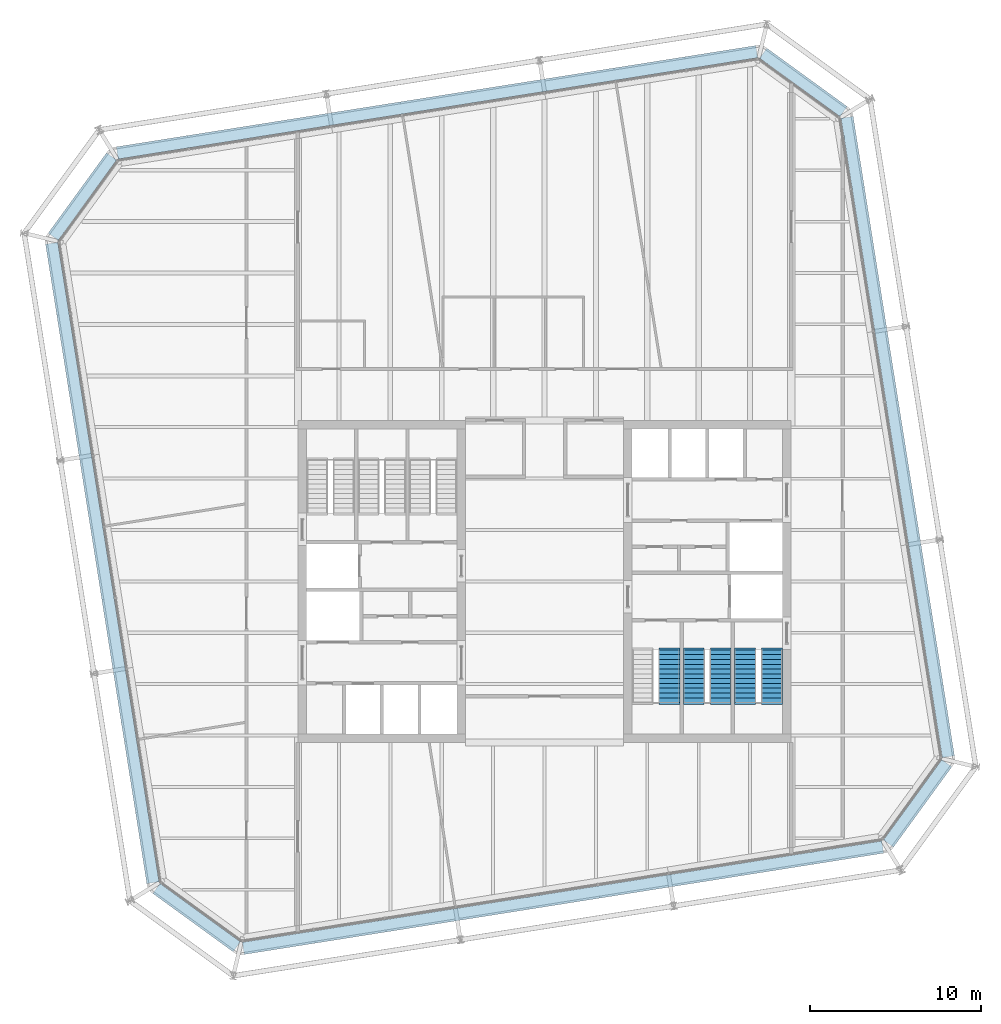
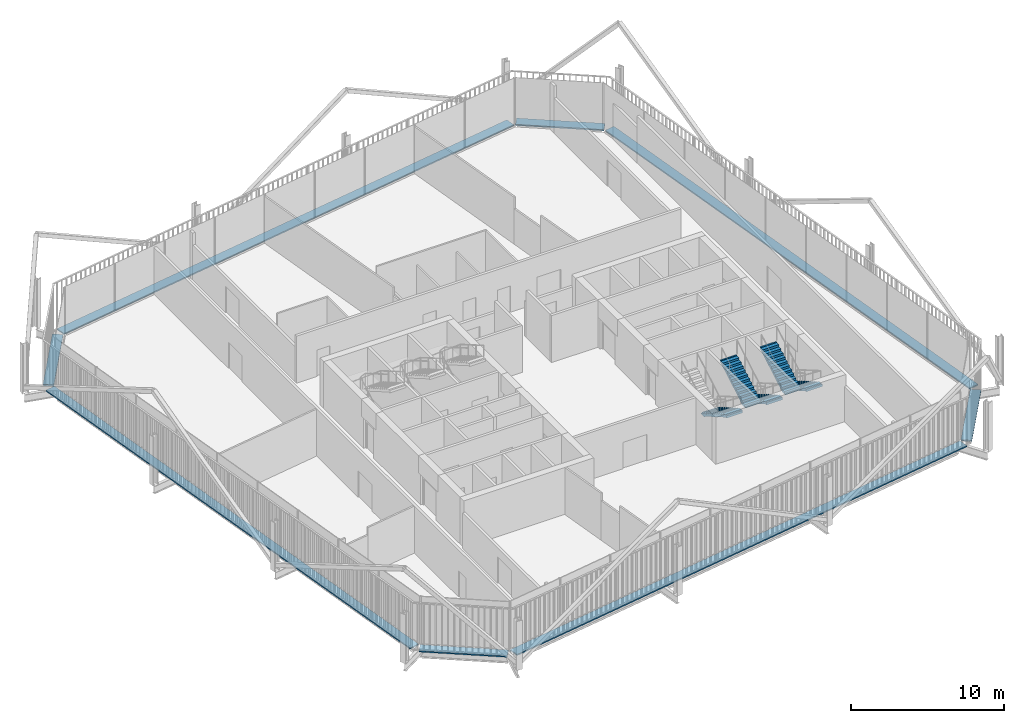
# One storey, part 20 of 21: 8 discrete accessories, 5 stair flights, 3 elements without a shape of their own.
"""IFC4 building model written with IfcOpenShell, lengths in metres."""

import ifcopenshell
import ifcopenshell.guid

model = None  # the IFC model being written
_history = None  # IfcOwnerHistory: only IFC2X3 demands one
_inside = {}  # id of a spatial element -> (the spatial element, [elements in it])
_under = {}  # id of a project, library or spatial element -> (it, [spatial elements below it])
_declared = {}  # id of a project -> (the project, [libraries it declares])
_typed = {}  # id of a type object -> (the type object, [elements of that type])
_made_of = {}  # id of a material, layer set ... -> (it, [elements and type objects made of it])


def new_model(schema):
    """Start an empty IFC model of exactly this schema.

    Asked for "IFC4X3", IfcOpenShell would pick the latest addendum, in which some entities
    have other attributes; the version numbers below select the first issue.
    IFC2X3 requires an IfcOwnerHistory on every rooted entity: one is made here for all.
    """
    global model, _history
    if schema == "IFC4X3":
        model = ifcopenshell.file(schema_version=(4, 3, 0, 0))
    else:
        model = ifcopenshell.file(schema=schema)
    _inside.clear()
    _under.clear()
    _declared.clear()
    _typed.clear()
    _made_of.clear()
    _history = None
    if model.schema == "IFC2X3":
        org = make("IfcOrganization", Name="unknown")
        user = make(
            "IfcPersonAndOrganization",
            ThePerson=make("IfcPerson", FamilyName="unknown"),
            TheOrganization=org,
        )
        app = make(
            "IfcApplication",
            ApplicationDeveloper=org,
            Version="unknown",
            ApplicationFullName="unknown",
            ApplicationIdentifier="unknown",
        )
        _history = make(
            "IfcOwnerHistory",
            OwningUser=user,
            OwningApplication=app,
            ChangeAction="ADDED",
            CreationDate=0,
        )
    return model


def make(cls, **values):
    """One entity of the class cls with the attributes given. An attribute that is None is left unset."""
    return model.create_entity(
        cls, **{name: value for name, value in values.items() if value is not None}
    )


def rooted(cls, **values):
    """An entity with a GlobalId (a new one), such as an element, a storey or a relation."""
    return make(cls, GlobalId=ifcopenshell.guid.new(), OwnerHistory=_history, **values)


def si_unit(unit_type, name, prefix=None):
    """IfcSIUnit, for example si_unit("LENGTHUNIT", "METRE", prefix="MILLI")."""
    return make("IfcSIUnit", UnitType=unit_type, Prefix=prefix, Name=name)


def assignment(units):
    """IfcUnitAssignment: the units of a project."""
    return None if units is None else make("IfcUnitAssignment", Units=units)


def point(xyz):
    """IfcCartesianPoint."""
    return None if xyz is None else make("IfcCartesianPoint", Coordinates=xyz)


def direction(xyz):
    """IfcDirection."""
    return None if xyz is None else make("IfcDirection", DirectionRatios=xyz)


def frame(location, z_axis=None, x_axis=None):
    """IfcAxis2Placement3D, a coordinate frame: its origin and axes. An axis left out is left unset."""
    return make(
        "IfcAxis2Placement3D",
        Location=point(location),
        Axis=direction(z_axis),
        RefDirection=direction(x_axis),
    )


def frame_2d(location, x_axis=None):
    """IfcAxis2Placement2D, a coordinate frame in the plane: its origin and x axis."""
    return make(
        "IfcAxis2Placement2D", Location=point(location), RefDirection=direction(x_axis)
    )


def origin():
    """The frame at (0, 0, 0) with its axes left unset."""
    return frame((0.0, 0.0, 0.0))


def origin_2d():
    """The frame at (0, 0) in the plane with its x axis left unset."""
    return frame_2d((0.0, 0.0))


def place(relative_to, where):
    """IfcLocalPlacement: puts the frame where relative to a parent placement (None: the world)."""
    return make(
        "IfcLocalPlacement", PlacementRelTo=relative_to, RelativePlacement=where
    )


def context(
    kind, dimensions, precision=None, world=None, true_north=None, identifier=None
):
    """IfcGeometricRepresentationContext, for example the 3D "Model" context."""
    return make(
        "IfcGeometricRepresentationContext",
        ContextIdentifier=identifier,
        ContextType=kind,
        CoordinateSpaceDimension=dimensions,
        Precision=precision,
        WorldCoordinateSystem=world,
        TrueNorth=true_north,
    )


def subcontext(parent, identifier, kind, view, scale=None):
    """IfcGeometricRepresentationSubContext, for example "Body" below "Model"."""
    return make(
        "IfcGeometricRepresentationSubContext",
        ContextIdentifier=identifier,
        ContextType=kind,
        ParentContext=parent,
        TargetScale=scale,
        TargetView=view,
    )


def project(units=None, contexts=None):
    """IfcProject with its units and contexts."""
    return rooted(
        "IfcProject",
        Name="project",
        RepresentationContexts=contexts,
        UnitsInContext=assignment(units),
    )


def spatial(cls, under=None, at=None, **own):
    """A site, building, storey or space (cls), placed at a placement, below another one or the project."""
    s = rooted(cls, ObjectPlacement=at, **own)
    if under is not None:
        _under.setdefault(under.id(), (under, []))[1].append(s)
    return s


def polyline(points):
    """IfcPolyline through the points."""
    return make("IfcPolyline", Points=[point(p) for p in points])


def profile(cls, at=None, kind="AREA", **sizes):
    """A parametric profile (cls). Its sizes go by their IFC names, for example OverallWidth=200.0."""
    return make(cls, ProfileType=kind, Position=at, **sizes)


def rectangle(**sizes):
    """IfcRectangleProfileDef."""
    return profile("IfcRectangleProfileDef", **sizes)


def outline(outer, holes=None, kind="AREA"):
    """IfcArbitraryClosedProfileDef: a profile drawn as a closed curve; with holes, ...WithVoids."""
    if holes is None:
        return make("IfcArbitraryClosedProfileDef", ProfileType=kind, OuterCurve=outer)
    return make(
        "IfcArbitraryProfileDefWithVoids",
        ProfileType=kind,
        OuterCurve=outer,
        InnerCurves=holes,
    )


def extrude(swept, where, along, depth):
    """IfcExtrudedAreaSolid: the profile swept, set in the frame where, extruded along a direction by depth."""
    return make(
        "IfcExtrudedAreaSolid",
        SweptArea=swept,
        Position=where,
        ExtrudedDirection=direction(along),
        Depth=depth,
    )


def shape(context_of_items, identifier, shape_type, items):
    """IfcShapeRepresentation: the items that make up one representation, for example the "Body"."""
    return make(
        "IfcShapeRepresentation",
        ContextOfItems=context_of_items,
        RepresentationIdentifier=identifier,
        RepresentationType=shape_type,
        Items=items,
    )


def material(Name=None, Category=None):
    """IfcMaterial."""
    return make("IfcMaterial", Name=Name, Category=Category)


def made_of(thing, what):
    """Note that an element or type object is made of a material, layer set ...; save() writes the relation."""
    if what is not None:
        _made_of.setdefault(what.id(), (what, []))[1].append(thing)
    return thing


def type_object(cls, material=None, **own):
    """A type object (cls), such as IfcWallType, which elements share."""
    return made_of(rooted(cls, **own), material)


def element(
    cls,
    number,
    at=None,
    inside=None,
    cuts=None,
    type_object=None,
    material=None,
    context=None,
    identifier="Body",
    shape_type=None,
    held_by="IfcProductDefinitionShape",
    body=None,
    shapes=None,
    **own,
):
    """One element of the class cls, such as IfcWall. Its Tag is "e" and its number.

    at: its placement. inside: the storey or other place that contains it. cuts: it is an
    opening in that element (IfcRelVoidsElement). A single representation is given by context,
    identifier, shape_type and body (its items); several are given by shapes. held_by: the class
    of the entity that holds the representations. save() writes the other relations.
    """
    e = rooted(cls, Tag="e%d" % number, ObjectPlacement=at, **own)
    if body is not None:
        shapes = [shape(context, identifier, shape_type, body)]
    if shapes is not None:
        e.Representation = make(held_by, Representations=shapes)
    if inside is not None:
        _inside.setdefault(inside.id(), (inside, []))[1].append(e)
    if cuts is not None:
        rooted(
            "IfcRelVoidsElement", RelatingBuildingElement=cuts, RelatedOpeningElement=e
        )
    if type_object is not None:
        _typed.setdefault(type_object.id(), (type_object, []))[1].append(e)
    return made_of(e, material)


def aggregate(whole, parts):
    """IfcRelAggregates: a whole, such as a stair, and the parts it consists of."""
    return rooted("IfcRelAggregates", RelatingObject=whole, RelatedObjects=parts)


def save(model, path):
    """Write the relations noted so far, then the file.

    IfcRelAggregates (storeys below a building ...), IfcRelContainedInSpatialStructure (elements
    in a storey), IfcRelDefinesByType, IfcRelAssociatesMaterial and IfcRelDeclares: one each for
    every whole, place, type object, material and project.
    """
    for whole, parts in _under.values():
        aggregate(whole, parts)
    for where, things in _inside.values():
        rooted(
            "IfcRelContainedInSpatialStructure",
            RelatedElements=things,
            RelatingStructure=where,
        )
    for kind, things in _typed.values():
        rooted("IfcRelDefinesByType", RelatedObjects=things, RelatingType=kind)
    for what, things in _made_of.values():
        rooted("IfcRelAssociatesMaterial", RelatedObjects=things, RelatingMaterial=what)
    for by, libraries in _declared.values():
        rooted("IfcRelDeclares", RelatingContext=by, RelatedDefinitions=libraries)
    model.write(path)


model = new_model("IFC4")

# Units and contexts
model_context = context("Model", 3, precision=1e-05, world=origin(), true_north=direction((0.0, 1.0)))
body_context = subcontext(model_context, "Body", "Model", "MODEL_VIEW")
ifc_project = project(units=[si_unit("LENGTHUNIT", "METRE"), si_unit("AREAUNIT", "SQUARE_METRE"), si_unit("VOLUMEUNIT", "CUBIC_METRE"), si_unit("PLANEANGLEUNIT", "RADIAN"), si_unit("MASSUNIT", "GRAM", prefix="KILO")], contexts=[model_context])

# Site, building, storey
site_placement = place(None, origin())
site = spatial("IfcSite", under=ifc_project, at=site_placement, CompositionType="ELEMENT")
building_placement = place(site_placement, origin())
building = spatial("IfcBuilding", under=site, at=building_placement, Name="Millrace Tower", CompositionType="ELEMENT")
storey_placement = place(building_placement, frame((0.0, 0.0, 212.5)))
storey = spatial("IfcBuildingStorey", under=building, at=storey_placement, Name="L48", CompositionType="ELEMENT", Elevation=212.5)

# Stair, stair flights
ifc_material_1 = material(Name="Concrete C35", Category="concrete")
stair_type = type_object("IfcStairType", Name="Exit stair", PredefinedType="HALF_TURN_STAIR", material=ifc_material_1)
placement = place(storey_placement, origin())
stair_1 = element("IfcStair", 1, at=placement, inside=storey, type_object=stair_type, Name="Stair 1 E L48", PredefinedType="HALF_TURN_STAIR")
ifc_material_2 = material(Name="Concrete C35", Category="concrete")
stair_flight_type = type_object("IfcStairFlightType", Name="Exit stair flight", PredefinedType="STRAIGHT", material=ifc_material_2)
stair_flight_1_placement = place(storey_placement, frame((13.2900390625, -4.0, 0.0), z_axis=(0.0, 0.0, 1.0), x_axis=(0.0, -1.0, 0.0)))
stair_flight_1 = element("IfcStairFlight", 2, at=stair_flight_1_placement, type_object=stair_flight_type, Name="ST12 flight 1", NumberOfRisers=12, NumberOfTreads=11, PredefinedType="STRAIGHT", RiserHeight=0.1625, TreadLength=0.28, context=body_context, shape_type="SweptSolid", body=[
    extrude(outline(polyline([(-0.1201171875, -0.0400390625), (-0.1201171875, 0.0), (0.0, 0.0), (0.0, 0.16259765625), (0.280029296875, 0.16259765625), (0.280029296875, 0.324951171875), (0.56005859375, 0.324951171875), (0.56005859375, 0.487548828125), (0.840087890625, 0.487548828125), (0.840087890625, 0.64990234375), (1.1201171875, 0.64990234375), (1.1201171875, 0.8125), (1.39990234375, 0.8125), (1.39990234375, 0.97509765625), (1.679931640625, 0.97509765625), (1.679931640625, 1.137451171875), (1.9599609375, 1.137451171875), (1.9599609375, 1.300048828125), (2.239990234375, 1.300048828125), (2.239990234375, 1.46240234375), (2.52001953125, 1.46240234375), (2.52001953125, 1.625), (2.800048828125, 1.625), (2.800048828125, 1.78759765625), (3.080078125, 1.78759765625), (3.080078125, 1.8076171875), (3.199951171875, 1.8076171875), (3.199951171875, 1.6142578125), (3.080078125, 1.6142578125), (0.298583984375, 0.0), (0.298583984375, -0.0400390625), (-0.1201171875, -0.0400390625)])), frame((0.0, 0.60986328125, 0.0), z_axis=(0.0, -1.0, 0.0), x_axis=(1.0, 0.0, 0.0)), (0.0, 0.0, 1.0), 1.219970703125),
])
stair_flight_2_placement = place(storey_placement, frame((11.7099609375, -7.080078125, 1.949951171875), z_axis=(0.0, 0.0, 1.0), x_axis=(0.0, 1.0, 0.0)))
stair_flight_2 = element("IfcStairFlight", 3, at=stair_flight_2_placement, type_object=stair_flight_type, Name="ST12 flight 2", NumberOfRisers=12, NumberOfTreads=11, PredefinedType="STRAIGHT", RiserHeight=0.1625, TreadLength=0.28, context=body_context, shape_type="SweptSolid", body=[
    extrude(outline(polyline([(-0.1201171875, -0.0400390625), (-0.1201171875, 0.0), (0.0, 0.0), (0.0, 0.16259765625), (0.280029296875, 0.16259765625), (0.280029296875, 0.324951171875), (0.56005859375, 0.324951171875), (0.56005859375, 0.487548828125), (0.840087890625, 0.487548828125), (0.840087890625, 0.64990234375), (1.1201171875, 0.64990234375), (1.1201171875, 0.8125), (1.39990234375, 0.8125), (1.39990234375, 0.97509765625), (1.679931640625, 0.97509765625), (1.679931640625, 1.137451171875), (1.9599609375, 1.137451171875), (1.9599609375, 1.300048828125), (2.239990234375, 1.300048828125), (2.239990234375, 1.46240234375), (2.52001953125, 1.46240234375), (2.52001953125, 1.625), (2.800048828125, 1.625), (2.800048828125, 1.78759765625), (3.080078125, 1.78759765625), (3.080078125, 1.8076171875), (3.199951171875, 1.8076171875), (3.199951171875, 1.6142578125), (3.080078125, 1.6142578125), (0.298583984375, 0.0), (0.298583984375, -0.0400390625), (-0.1201171875, -0.0400390625)])), frame((0.0, 0.60986328125, 0.0), z_axis=(0.0, -1.0, 0.0), x_axis=(1.0, 0.0, 0.0)), (0.0, 0.0, 1.0), 1.219970703125),
])
aggregate(stair_1, [stair_flight_1, stair_flight_2])

stair_2 = element("IfcStair", 4, at=placement, inside=storey, type_object=stair_type, Name="Stair 2 E L48", PredefinedType="HALF_TURN_STAIR")
stair_flight_3_placement = place(storey_placement, frame((10.2900390625, -4.0, 0.0), z_axis=(0.0, 0.0, 1.0), x_axis=(0.0, -1.0, 0.0)))
stair_flight_3 = element("IfcStairFlight", 5, at=stair_flight_3_placement, type_object=stair_flight_type, Name="ST12 flight 1", NumberOfRisers=12, NumberOfTreads=11, PredefinedType="STRAIGHT", RiserHeight=0.1625, TreadLength=0.28, context=body_context, shape_type="SweptSolid", body=[
    extrude(outline(polyline([(-0.1201171875, -0.0400390625), (-0.1201171875, 0.0), (0.0, 0.0), (0.0, 0.16259765625), (0.280029296875, 0.16259765625), (0.280029296875, 0.324951171875), (0.56005859375, 0.324951171875), (0.56005859375, 0.487548828125), (0.840087890625, 0.487548828125), (0.840087890625, 0.64990234375), (1.1201171875, 0.64990234375), (1.1201171875, 0.8125), (1.39990234375, 0.8125), (1.39990234375, 0.97509765625), (1.679931640625, 0.97509765625), (1.679931640625, 1.137451171875), (1.9599609375, 1.137451171875), (1.9599609375, 1.300048828125), (2.239990234375, 1.300048828125), (2.239990234375, 1.46240234375), (2.52001953125, 1.46240234375), (2.52001953125, 1.625), (2.800048828125, 1.625), (2.800048828125, 1.78759765625), (3.080078125, 1.78759765625), (3.080078125, 1.8076171875), (3.199951171875, 1.8076171875), (3.199951171875, 1.6142578125), (3.080078125, 1.6142578125), (0.298583984375, 0.0), (0.298583984375, -0.0400390625), (-0.1201171875, -0.0400390625)])), frame((0.0, 0.60986328125, 0.0), z_axis=(0.0, -1.0, 0.0), x_axis=(1.0, 0.0, 0.0)), (0.0, 0.0, 1.0), 1.219970703125),
])
stair_flight_4_placement = place(storey_placement, frame((8.7099609375, -7.080078125, 1.949951171875), z_axis=(0.0, 0.0, 1.0), x_axis=(0.0, 1.0, 0.0)))
stair_flight_4 = element("IfcStairFlight", 6, at=stair_flight_4_placement, type_object=stair_flight_type, Name="ST12 flight 2", NumberOfRisers=12, NumberOfTreads=11, PredefinedType="STRAIGHT", RiserHeight=0.1625, TreadLength=0.28, context=body_context, shape_type="SweptSolid", body=[
    extrude(outline(polyline([(-0.1201171875, -0.0400390625), (-0.1201171875, 0.0), (0.0, 0.0), (0.0, 0.16259765625), (0.280029296875, 0.16259765625), (0.280029296875, 0.324951171875), (0.56005859375, 0.324951171875), (0.56005859375, 0.487548828125), (0.840087890625, 0.487548828125), (0.840087890625, 0.64990234375), (1.1201171875, 0.64990234375), (1.1201171875, 0.8125), (1.39990234375, 0.8125), (1.39990234375, 0.97509765625), (1.679931640625, 0.97509765625), (1.679931640625, 1.137451171875), (1.9599609375, 1.137451171875), (1.9599609375, 1.300048828125), (2.239990234375, 1.300048828125), (2.239990234375, 1.46240234375), (2.52001953125, 1.46240234375), (2.52001953125, 1.625), (2.800048828125, 1.625), (2.800048828125, 1.78759765625), (3.080078125, 1.78759765625), (3.080078125, 1.8076171875), (3.199951171875, 1.8076171875), (3.199951171875, 1.6142578125), (3.080078125, 1.6142578125), (0.298583984375, 0.0), (0.298583984375, -0.0400390625), (-0.1201171875, -0.0400390625)])), frame((0.0, 0.60986328125, 0.0), z_axis=(0.0, -1.0, 0.0), x_axis=(1.0, 0.0, 0.0)), (0.0, 0.0, 1.0), 1.219970703125),
])
aggregate(stair_2, [stair_flight_3, stair_flight_4])

# Stair, stair flight
stair_3 = element("IfcStair", 7, at=placement, inside=storey, type_object=stair_type, Name="Stair 3 E L48", PredefinedType="HALF_TURN_STAIR")
stair_flight_5_placement = place(storey_placement, frame((7.2900390625, -4.0, 0.0), z_axis=(0.0, 0.0, 1.0), x_axis=(0.0, -1.0, 0.0)))
stair_flight_5 = element("IfcStairFlight", 8, at=stair_flight_5_placement, type_object=stair_flight_type, Name="ST12 flight 1", NumberOfRisers=12, NumberOfTreads=11, PredefinedType="STRAIGHT", RiserHeight=0.1625, TreadLength=0.28, context=body_context, shape_type="SweptSolid", body=[
    extrude(outline(polyline([(-0.1201171875, -0.0400390625), (-0.1201171875, 0.0), (0.0, 0.0), (0.0, 0.16259765625), (0.280029296875, 0.16259765625), (0.280029296875, 0.324951171875), (0.56005859375, 0.324951171875), (0.56005859375, 0.487548828125), (0.840087890625, 0.487548828125), (0.840087890625, 0.64990234375), (1.1201171875, 0.64990234375), (1.1201171875, 0.8125), (1.39990234375, 0.8125), (1.39990234375, 0.97509765625), (1.679931640625, 0.97509765625), (1.679931640625, 1.137451171875), (1.9599609375, 1.137451171875), (1.9599609375, 1.300048828125), (2.239990234375, 1.300048828125), (2.239990234375, 1.46240234375), (2.52001953125, 1.46240234375), (2.52001953125, 1.625), (2.800048828125, 1.625), (2.800048828125, 1.78759765625), (3.080078125, 1.78759765625), (3.080078125, 1.8076171875), (3.199951171875, 1.8076171875), (3.199951171875, 1.6142578125), (3.080078125, 1.6142578125), (0.298583984375, 0.0), (0.298583984375, -0.0400390625), (-0.1201171875, -0.0400390625)])), frame((0.0, 0.60986328125, 0.0), z_axis=(0.0, -1.0, 0.0), x_axis=(1.0, 0.0, 0.0)), (0.0, 0.0, 1.0), 1.219970703125),
])
aggregate(stair_3, [stair_flight_5])

# Discrete accessories
ifc_material_3 = material(Name="Stainless steel ASTM A240 type 316", Category="steel")
discrete_accessory_type = type_object("IfcDiscreteAccessoryType", Name="Thermally broken screen support rail", PredefinedType="BRACKET", material=ifc_material_3)
discrete_accessory_1_placement = place(storey_placement, frame((-20.314453125, -19.632080078125, 0.0), z_axis=(0.0, 0.0, 1.0), x_axis=(0.809016955361, -0.587785305991, 0.0)))
element("IfcDiscreteAccessory", 9, at=discrete_accessory_1_placement, inside=storey, type_object=discrete_accessory_type, Name="Thermally broken screen support rail D-F01 L48 1", PredefinedType="BRACKET", context=body_context, shape_type="SweptSolid", body=[
    extrude(rectangle(XDim=5.79833984375, YDim=0.719970703125, at=origin_2d()), origin(), (0.0, 0.0, 1.0), 0.10009765625),
])
discrete_accessory_2_placement = place(storey_placement, frame((1.077880859375, -18.470458984375, 0.0), z_axis=(0.0, 0.0, 1.0), x_axis=(0.987688339511, 0.156434471884, 0.0)))
element("IfcDiscreteAccessory", 10, at=discrete_accessory_2_placement, inside=storey, type_object=discrete_accessory_type, Name="Thermally broken screen support rail D-F02 L48 1", PredefinedType="BRACKET", context=body_context, shape_type="SweptSolid", body=[
    extrude(rectangle(XDim=37.800048828125, YDim=0.719970703125, at=origin_2d()), origin(), (0.0, 0.0, 1.0), 0.10009765625),
])
discrete_accessory_3_placement = place(storey_placement, frame((21.781982421875, -12.964599609375, 0.0), z_axis=(0.0, 0.0, 1.0), x_axis=(0.587785305991, 0.809016955361, 0.0)))
element("IfcDiscreteAccessory", 11, at=discrete_accessory_3_placement, inside=storey, type_object=discrete_accessory_type, Name="Thermally broken screen support rail D-F03 L48 1", PredefinedType="BRACKET", context=body_context, shape_type="SweptSolid", body=[
    extrude(rectangle(XDim=5.79833984375, YDim=0.719970703125, at=origin_2d()), origin(), (0.0, 0.0, 1.0), 0.10009765625),
])
discrete_accessory_4_placement = place(storey_placement, frame((20.62060546875, 8.427734375, 0.0), z_axis=(0.0, 0.0, 1.0), x_axis=(-0.156434471884, 0.987688339511, 0.0)))
element("IfcDiscreteAccessory", 12, at=discrete_accessory_4_placement, inside=storey, type_object=discrete_accessory_type, Name="Thermally broken screen support rail D-F04 L48 1", PredefinedType="BRACKET", context=body_context, shape_type="SweptSolid", body=[
    extrude(rectangle(XDim=37.800048828125, YDim=0.719970703125, at=origin_2d()), origin(), (0.0, 0.0, 1.0), 0.10009765625),
])
discrete_accessory_5_placement = place(storey_placement, frame((15.114501953125, 29.132080078125, 0.0), z_axis=(0.0, 0.0, 1.0), x_axis=(-0.809016955361, 0.587785305991, 0.0)))
element("IfcDiscreteAccessory", 13, at=discrete_accessory_5_placement, inside=storey, type_object=discrete_accessory_type, Name="Thermally broken screen support rail D-F05 L48 1", PredefinedType="BRACKET", context=body_context, shape_type="SweptSolid", body=[
    extrude(rectangle(XDim=5.79833984375, YDim=0.719970703125, at=origin_2d()), origin(), (0.0, 0.0, 1.0), 0.10009765625),
])
discrete_accessory_6_placement = place(storey_placement, frame((-6.27783203125, 27.970458984375, 0.0), z_axis=(0.0, 0.0, 1.0), x_axis=(-0.987688339511, -0.156434471884, 0.0)))
element("IfcDiscreteAccessory", 14, at=discrete_accessory_6_placement, inside=storey, type_object=discrete_accessory_type, Name="Thermally broken screen support rail D-F06 L48 1", PredefinedType="BRACKET", context=body_context, shape_type="SweptSolid", body=[
    extrude(rectangle(XDim=37.800048828125, YDim=0.719970703125, at=origin_2d()), origin(), (0.0, 0.0, 1.0), 0.10009765625),
])
discrete_accessory_7_placement = place(storey_placement, frame((-26.98193359375, 22.464599609375, 0.0), z_axis=(0.0, 0.0, 1.0), x_axis=(-0.587785305991, -0.809016955361, 0.0)))
element("IfcDiscreteAccessory", 15, at=discrete_accessory_7_placement, inside=storey, type_object=discrete_accessory_type, Name="Thermally broken screen support rail D-F07 L48 1", PredefinedType="BRACKET", context=body_context, shape_type="SweptSolid", body=[
    extrude(rectangle(XDim=5.79833984375, YDim=0.719970703125, at=origin_2d()), origin(), (0.0, 0.0, 1.0), 0.10009765625),
])
discrete_accessory_8_placement = place(storey_placement, frame((-25.820556640625, 1.072265625, 0.0), z_axis=(0.0, 0.0, 1.0), x_axis=(0.156434471884, -0.987688339511, 0.0)))
element("IfcDiscreteAccessory", 16, at=discrete_accessory_8_placement, inside=storey, type_object=discrete_accessory_type, Name="Thermally broken screen support rail D-F08 L48 1", PredefinedType="BRACKET", context=body_context, shape_type="SweptSolid", body=[
    extrude(rectangle(XDim=37.800048828125, YDim=0.719970703125, at=origin_2d()), origin(), (0.0, 0.0, 1.0), 0.10009765625),
])

save(model, "model.ifc")
